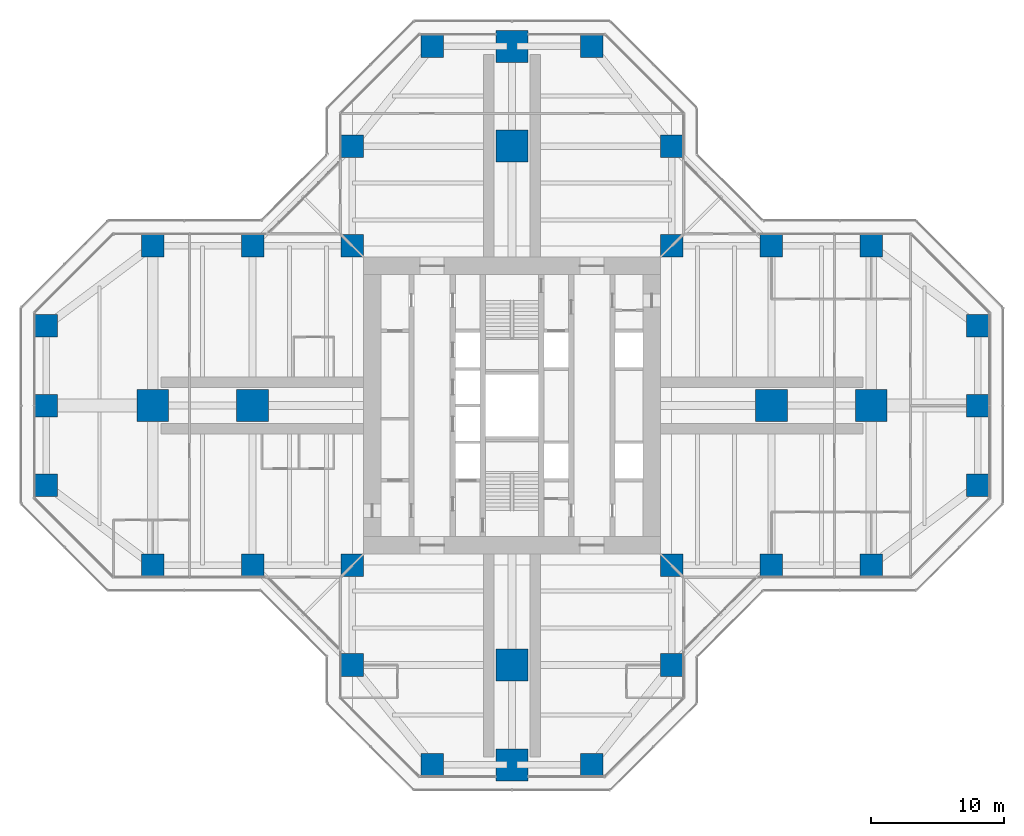
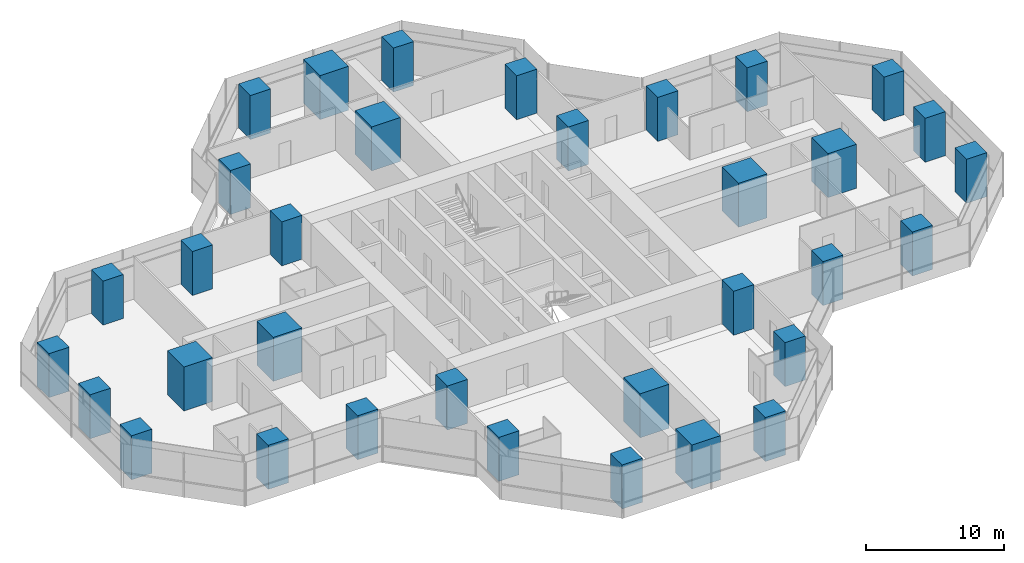
# One storey, part 1 of 20: 34 columns.
"""IFC4 building model written with IfcOpenShell, lengths in metres."""

from ifc_helpers import new_model, si_unit, direction, frame, origin, origin_2d, place, context, subcontext, project, spatial, rectangle, extrude, material, material_profile, profile_set, type_object, element, save


model = new_model("IFC4")

# Units and contexts
model_context = context("Model", 3, precision=1e-05, world=origin(), true_north=direction((0.0, 1.0)))
body_context = subcontext(model_context, "Body", "Model", "MODEL_VIEW")
ifc_project = project(units=[si_unit("LENGTHUNIT", "METRE"), si_unit("AREAUNIT", "SQUARE_METRE"), si_unit("VOLUMEUNIT", "CUBIC_METRE"), si_unit("PLANEANGLEUNIT", "RADIAN"), si_unit("MASSUNIT", "GRAM", prefix="KILO")], contexts=[model_context])

# Site, building, storey
site_placement = place(None, origin())
site = spatial("IfcSite", under=ifc_project, at=site_placement, CompositionType="ELEMENT")
building_placement = place(site_placement, origin())
building = spatial("IfcBuilding", under=site, at=building_placement, Name="Mizan Broadcast Tower", CompositionType="ELEMENT")
storey_placement = place(building_placement, frame((0.0, 0.0, 143.699951171875)))
storey = spatial("IfcBuildingStorey", under=building, at=storey_placement, Name="L32", CompositionType="ELEMENT", Elevation=143.699951171875)

# Columns
ifc_material_1 = material(Name="Concrete C70/85", Category="concrete")
ifc_material_profile_1 = material_profile(ifc_material_1, rectangle(XDim=1.699951171875, YDim=1.699951171875, at=origin_2d()), Name="RC 1700x1700")
ifc_profile_set_1 = profile_set([ifc_material_profile_1], Name="Concrete C70/85")
column_type_1 = type_object("IfcColumnType", Name="RC COLUMN 1700x1700 C70/85", PredefinedType="COLUMN", material=ifc_profile_set_1)
for number, where, z_axis, x_axis, name in (
    (1, (-6.0, -27.0, 0.0), (0.0, 0.0, 1.0), (1.0, 0.0, 0.0), "Column 5/B L32"),
    (2, (6.0, -27.0, 0.0), (0.0, 0.0, 1.0), (1.0, 0.0, 0.0), "Column 7/B L32"),
    (3, (-12.0, -19.5, 0.0), (0.0, 0.0, 1.0), (1.0, 0.0, 0.0), "Column 4/C L32"),
    (4, (12.0, -19.5, 0.0), (0.0, 0.0, 1.0), (1.0, 0.0, 0.0), "Column 8/C L32"),
    (5, (-27.0, -12.0, 0.0), (0.0, 0.0, 1.0), (1.0, 0.0, 0.0), "Column 2/D L32"),
    (6, (-19.5, -12.0, 0.0), (0.0, 0.0, 1.0), (1.0, 0.0, 0.0), "Column 3/D L32"),
    (7, (-12.0, -12.0, 0.0), (0.0, 0.0, 1.0), (1.0, 0.0, 0.0), "Column 4/D L32"),
    (8, (12.0, -12.0, 0.0), (0.0, 0.0, 1.0), (1.0, 0.0, 0.0), "Column 8/D L32"),
    (9, (19.5, -12.0, 0.0), (0.0, 0.0, 1.0), (1.0, 0.0, 0.0), "Column 9/D L32"),
    (10, (27.0, -12.0, 0.0), (0.0, 0.0, 1.0), (1.0, 0.0, 0.0), "Column 10/D L32"),
    (11, (-35.0, -6.0, 0.0), (0.0, 0.0, 1.0), (1.0, 0.0, 0.0), "Column 1/E L32"),
    (12, (35.0, -6.0, 0.0), (0.0, 0.0, 1.0), (1.0, 0.0, 0.0), "Column 11/E L32"),
    (13, (-35.0, 0.0, 0.0), (0.0, 0.0, 1.0), (1.0, 0.0, 0.0), "Column 1/F L32"),
    (14, (35.0, 0.0, 0.0), (0.0, 0.0, 1.0), (1.0, 0.0, 0.0), "Column 11/F L32"),
    (15, (-35.0, 6.0, 0.0), (0.0, 0.0, 1.0), (1.0, 0.0, 0.0), "Column 1/G L32"),
    (16, (35.0, 6.0, 0.0), (0.0, 0.0, 1.0), (1.0, 0.0, 0.0), "Column 11/G L32"),
    (17, (-27.0, 12.0, 0.0), (0.0, 0.0, 1.0), (1.0, 0.0, 0.0), "Column 2/H L32"),
    (18, (-19.5, 12.0, 0.0), (0.0, 0.0, 1.0), (1.0, 0.0, 0.0), "Column 3/H L32"),
    (19, (-12.0, 12.0, 0.0), (0.0, 0.0, 1.0), (1.0, 0.0, 0.0), "Column 4/H L32"),
    (20, (12.0, 12.0, 0.0), (0.0, 0.0, 1.0), (1.0, 0.0, 0.0), "Column 8/H L32"),
    (21, (19.5, 12.0, 0.0), (0.0, 0.0, 1.0), (1.0, 0.0, 0.0), "Column 9/H L32"),
    (22, (27.0, 12.0, 0.0), (0.0, 0.0, 1.0), (1.0, 0.0, 0.0), "Column 10/H L32"),
    (23, (-12.0, 19.5, 0.0), (0.0, 0.0, 1.0), (1.0, 0.0, 0.0), "Column 4/J L32"),
    (24, (12.0, 19.5, 0.0), (0.0, 0.0, 1.0), (1.0, 0.0, 0.0), "Column 8/J L32"),
    (25, (-6.0, 27.0, 0.0), (0.0, 0.0, 1.0), (1.0, 0.0, 0.0), "Column 5/K L32"),
    (26, (6.0, 27.0, 0.0), (0.0, 0.0, 1.0), (1.0, 0.0, 0.0), "Column 7/K L32"),
):
    element("IfcColumn", number, at=place(storey_placement, frame(where, z_axis=z_axis, x_axis=x_axis)), inside=storey, type_object=column_type_1, Name=name, PredefinedType="COLUMN", context=body_context, shape_type="SweptSolid", body=[
        extrude(rectangle(XDim=1.699951171875, YDim=1.699951171875, at=origin_2d()), origin(), (0.0, 0.0, 1.0), 3.900146484375),
    ])
ifc_material_2 = material(Name="Concrete C70/85", Category="concrete")
ifc_material_profile_2 = material_profile(ifc_material_2, rectangle(XDim=2.39990234375, YDim=2.39990234375, at=origin_2d()), Name="RC 2400x2400")
ifc_profile_set_2 = profile_set([ifc_material_profile_2], Name="Concrete C70/85")
column_type_2 = type_object("IfcColumnType", Name="RC COLUMN 2400x2400 C70/85", PredefinedType="COLUMN", material=ifc_profile_set_2)
for number, where, z_axis, x_axis, name in (
    (27, (0.0, -27.0, 0.0), (0.0, 0.0, 1.0), (1.0, 0.0, 0.0), "Column 6/B L32"),
    (28, (0.0, -19.5, 0.0), (0.0, 0.0, 1.0), (1.0, 0.0, 0.0), "Column 6/C L32"),
    (29, (-27.0, 0.0, 0.0), (0.0, 0.0, 1.0), (1.0, 0.0, 0.0), "Column 2/F L32"),
    (30, (-19.5, 0.0, 0.0), (0.0, 0.0, 1.0), (1.0, 0.0, 0.0), "Column 3/F L32"),
    (31, (19.5, 0.0, 0.0), (0.0, 0.0, 1.0), (1.0, 0.0, 0.0), "Column 9/F L32"),
    (32, (27.0, 0.0, 0.0), (0.0, 0.0, 1.0), (1.0, 0.0, 0.0), "Column 10/F L32"),
    (33, (0.0, 19.5, 0.0), (0.0, 0.0, 1.0), (1.0, 0.0, 0.0), "Column 6/J L32"),
    (34, (0.0, 27.0, 0.0), (0.0, 0.0, 1.0), (1.0, 0.0, 0.0), "Column 6/K L32"),
):
    element("IfcColumn", number, at=place(storey_placement, frame(where, z_axis=z_axis, x_axis=x_axis)), inside=storey, type_object=column_type_2, Name=name, PredefinedType="COLUMN", context=body_context, shape_type="SweptSolid", body=[
        extrude(rectangle(XDim=2.39990234375, YDim=2.39990234375, at=origin_2d()), origin(), (0.0, 0.0, 1.0), 3.900146484375),
    ])

save(model, "model.ifc")
